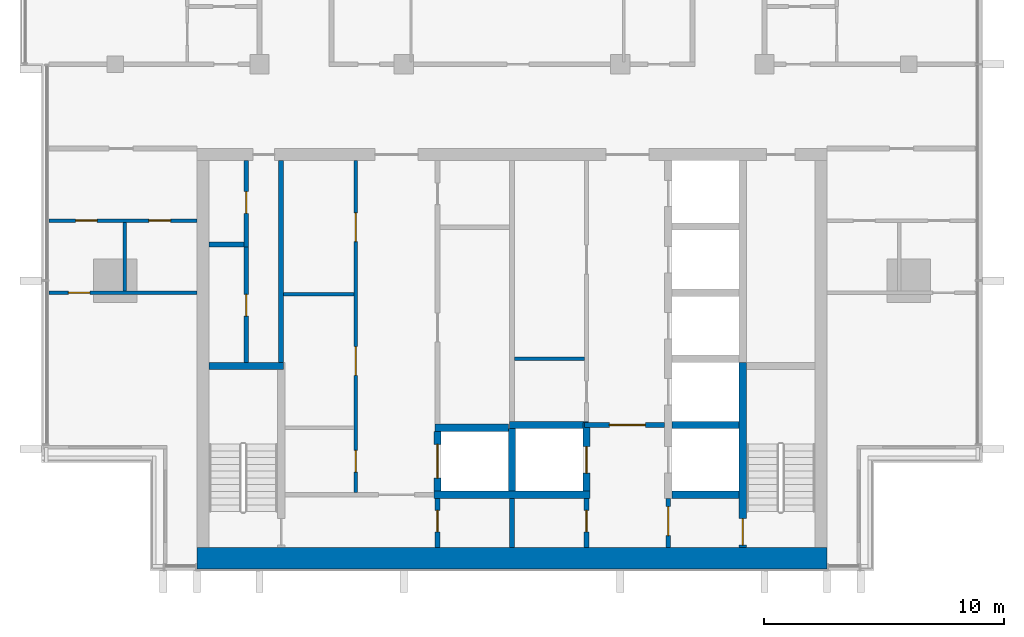
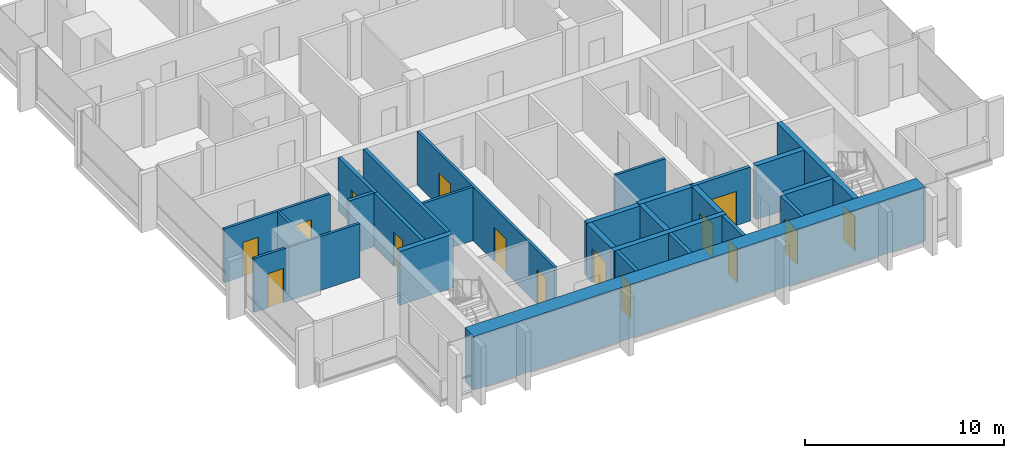
# One storey, part 7 of 16: 26 walls, 15 doors, 15 openings.
"""IFC4 building model written with IfcOpenShell, lengths in metres."""

from ifc_helpers import new_model, si_unit, direction, frame, frame_2d, origin, place, context, subcontext, project, spatial, rectangle, extrude, material, layer, layer_set, type_object, element, fill, save


model = new_model("IFC4")

# Units and contexts
model_context = context("Model", 3, precision=1e-05, world=origin(), true_north=direction((0.0, 1.0)))
body_context = subcontext(model_context, "Body", "Model", "MODEL_VIEW")
ifc_project = project(units=[si_unit("LENGTHUNIT", "METRE"), si_unit("AREAUNIT", "SQUARE_METRE"), si_unit("VOLUMEUNIT", "CUBIC_METRE"), si_unit("PLANEANGLEUNIT", "RADIAN"), si_unit("MASSUNIT", "GRAM", prefix="KILO")], contexts=[model_context])

# Site, building, storey
site_placement = place(None, origin())
site = spatial("IfcSite", under=ifc_project, at=site_placement, CompositionType="ELEMENT")
building_placement = place(site_placement, origin())
building = spatial("IfcBuilding", under=site, at=building_placement, Name="Finial Court Residences", CompositionType="ELEMENT")
storey_placement = place(building_placement, frame((0.0, 0.0, 255.5)))
storey = spatial("IfcBuildingStorey", under=building, at=storey_placement, Name="L64", CompositionType="ELEMENT", Elevation=255.5)

# Walls
ifc_material_1 = material(Name="Fire-rated gypsum board partition")
ifc_layer_1 = layer(ifc_material_1, 0.14990234375)
ifc_layer_set_1 = layer_set([ifc_layer_1], Name="Core room partition 150 EI 60")
wall_type_1 = type_object("IfcWallType", Name="Core room partition 150 EI 60", PredefinedType="PARTITIONING", material=ifc_layer_set_1)
wall_1_placement = place(storey_placement, frame((0.10009765625, -16.75, 0.0), z_axis=(0.0, 0.0, 1.0), x_axis=(1.0, 0.0, 0.0)))
element("IfcWall", 1, at=wall_1_placement, inside=storey, type_object=wall_type_1, Name="Core partition L64-11", PredefinedType="PARTITIONING", context=body_context, shape_type="SweptSolid", body=[
    extrude(rectangle(XDim=2.9248046875, YDim=0.14990234375, at=frame_2d((1.46240234375, 0.0))), origin(), (0.0, 0.0, 1.0), 3.300048828125),
])
wall_2_placement = place(storey_placement, frame((-9.5, -14.06005859375, 0.0), z_axis=(0.0, 0.0, 1.0), x_axis=(1.0, 0.0, 0.0)))
element("IfcWall", 2, at=wall_2_placement, inside=storey, type_object=wall_type_1, Name="Core partition L64-13", PredefinedType="PARTITIONING", context=body_context, shape_type="SweptSolid", body=[
    extrude(rectangle(XDim=2.925048828125, YDim=0.14990234375, at=frame_2d((1.46240234375, 0.0))), origin(), (0.0, 0.0, 1.0), 3.300048828125),
])

# Wall, openings, doors
wall_3_placement = place(storey_placement, frame((-6.5, -22.300048828125, 0.0), z_axis=(0.0, 0.0, 1.0), x_axis=(0.0, 1.0, 0.0)))
wall_3 = element("IfcWall", 3, at=wall_3_placement, inside=storey, type_object=wall_type_1, Name="Core partition L64-22", PredefinedType="PARTITIONING", context=body_context, shape_type="SweptSolid", body=[
    extrude(rectangle(XDim=13.800048828125, YDim=0.14990234375, at=frame_2d((6.89990234375, 0.0))), origin(), (0.0, 0.0, 1.0), 3.300048828125),
])
opening_1_placement = place(wall_3_placement, frame((0.840087890625, 0.0, 0.0)))
opening_1 = element("IfcOpeningElement", 4, at=opening_1_placement, cuts=wall_3, Name="Opening L64-C14", PredefinedType="OPENING", context=body_context, shape_type="SweptSolid", body=[
    extrude(rectangle(XDim=0.89990234375, YDim=2.10009765625, at=frame_2d((0.449951171875, 1.050048828125))), frame((0.0, 0.0849609375, 0.0), z_axis=(0.0, -1.0, 0.0), x_axis=(1.0, 0.0, 0.0)), (0.0, 0.0, 1.0), 0.169921875),
])
opening_2_placement = place(wall_3_placement, frame((4.860107421875, 0.0, 0.0)))
opening_2 = element("IfcOpeningElement", 5, at=opening_2_placement, cuts=wall_3, Name="Opening L64-C15", PredefinedType="OPENING", context=body_context, shape_type="SweptSolid", body=[
    extrude(rectangle(XDim=1.199951171875, YDim=2.10009765625, at=frame_2d((0.60009765625, 1.050048828125))), frame((0.0, 0.0849609375, 0.0), z_axis=(0.0, -1.0, 0.0), x_axis=(1.0, 0.0, 0.0)), (0.0, 0.0, 1.0), 0.169921875),
])
opening_3_placement = place(wall_3_placement, frame((10.419921875, 0.0, 0.0)))
opening_3 = element("IfcOpeningElement", 6, at=opening_3_placement, cuts=wall_3, Name="Opening L64-C16", PredefinedType="OPENING", context=body_context, shape_type="SweptSolid", body=[
    extrude(rectangle(XDim=1.199951171875, YDim=2.10009765625, at=frame_2d((0.60009765625, 1.050048828125))), frame((0.0, 0.0849609375, 0.0), z_axis=(0.0, -1.0, 0.0), x_axis=(1.0, 0.0, 0.0)), (0.0, 0.0, 1.0), 0.169921875),
])
ifc_material_2 = material(Name="Steel fire door", Category="steel")
door_type_1 = type_object("IfcDoorType", Name="Core room door 1200 x 2100 EI 60", OperationType="NOTDEFINED", PredefinedType="DOOR", material=ifc_material_2)
door_1_placement = place(opening_2_placement, origin())
door_1 = element("IfcDoor", 7, at=door_1_placement, inside=storey, type_object=door_type_1, Name="Core room door L64-C15", OperationType="SINGLE_SWING_RIGHT", OverallHeight=2.10009765625, OverallWidth=1.199951171875, PredefinedType="DOOR", context=body_context, shape_type="SweptSolid", body=[
    extrude(rectangle(XDim=1.199951171875, YDim=2.10009765625, at=frame_2d((0.60009765625, 1.050048828125))), frame((0.0, 0.02490234375, 0.0), z_axis=(0.0, -1.0, 0.0), x_axis=(1.0, 0.0, 0.0)), (0.0, 0.0, 1.0), 0.050048828125),
])
fill(opening_2, door_1)
door_2_placement = place(opening_3_placement, origin())
door_2 = element("IfcDoor", 8, at=door_2_placement, inside=storey, type_object=door_type_1, Name="Core room door L64-C16", OperationType="SINGLE_SWING_RIGHT", OverallHeight=2.10009765625, OverallWidth=1.199951171875, PredefinedType="DOOR", context=body_context, shape_type="SweptSolid", body=[
    extrude(rectangle(XDim=1.199951171875, YDim=2.10009765625, at=frame_2d((0.60009765625, 1.050048828125))), frame((0.0, 0.02490234375, 0.0), z_axis=(0.0, -1.0, 0.0), x_axis=(1.0, 0.0, 0.0)), (0.0, 0.0, 1.0), 0.050048828125),
])
fill(opening_3, door_2)
door_type_2 = type_object("IfcDoorType", Name="Core room door 900 x 2100 EI 60", OperationType="NOTDEFINED", PredefinedType="DOOR", material=ifc_material_2)
door_3_placement = place(opening_1_placement, origin())
door_3 = element("IfcDoor", 9, at=door_3_placement, inside=storey, type_object=door_type_2, Name="Core room door L64-C14", OperationType="SINGLE_SWING_LEFT", OverallHeight=2.10009765625, OverallWidth=0.89990234375, PredefinedType="DOOR", context=body_context, shape_type="SweptSolid", body=[
    extrude(rectangle(XDim=0.89990234375, YDim=2.10009765625, at=frame_2d((0.449951171875, 1.050048828125))), frame((0.0, 0.02490234375, 0.0), z_axis=(0.0, -1.0, 0.0), x_axis=(1.0, 0.0, 0.0)), (0.0, 0.0, 1.0), 0.050048828125),
])
fill(opening_1, door_3)

# Wall
ifc_material_3 = material(Name="Concrete C50/60", Category="concrete")
ifc_layer_2 = layer(ifc_material_3, 0.89990234375)
ifc_layer_set_2 = layer_set([ifc_layer_2], Name="Core south facade wall 900 Concrete C50/60")
wall_type_2 = type_object("IfcWallType", Name="Core south facade wall 900 Concrete C50/60", PredefinedType="SHEAR", material=ifc_layer_set_2)
wall_4_placement = place(storey_placement, frame((-13.10009765625, -25.050048828125, 0.0), z_axis=(0.0, 0.0, 1.0), x_axis=(1.0, 0.0, 0.0)))
element("IfcWall", 10, at=wall_4_placement, inside=storey, type_object=wall_type_2, Name="Core outer wall L64-01", PredefinedType="SHEAR", context=body_context, shape_type="SweptSolid", body=[
    extrude(rectangle(XDim=26.2001953125, YDim=0.89990234375, at=frame_2d((13.10009765625, 0.0))), origin(), (0.0, 0.0, 1.0), 3.300048828125),
])

# Wall, opening, door
ifc_layer_3 = layer(ifc_material_1, 0.199951171875)
ifc_layer_set_3 = layer_set([ifc_layer_3], Name="Firefighting lobby wall 200 EI 120")
wall_type_3 = type_object("IfcWallType", Name="Firefighting lobby wall 200 EI 120", PredefinedType="PARTITIONING", material=ifc_layer_set_3)
wall_5_placement = place(storey_placement, frame((6.35009765625, -19.5, 0.0), z_axis=(0.0, 0.0, 1.0), x_axis=(-1.0, 0.0, 0.0)))
wall_5 = element("IfcWall", 11, at=wall_5_placement, inside=storey, type_object=wall_type_3, Name="Core partition L64-07", PredefinedType="PARTITIONING", context=body_context, shape_type="SweptSolid", body=[
    extrude(rectangle(XDim=3.3251953125, YDim=0.199951171875, at=frame_2d((1.66259765625, 0.0))), origin(), (0.0, 0.0, 1.0), 3.300048828125),
])
opening_4_placement = place(wall_5_placement, frame((0.800048828125, 0.0, 0.0)))
opening_4 = element("IfcOpeningElement", 12, at=opening_4_placement, cuts=wall_5, Name="Opening L64-C02", PredefinedType="OPENING", context=body_context, shape_type="SweptSolid", body=[
    extrude(rectangle(XDim=1.5, YDim=2.10009765625, at=frame_2d((0.75, 1.050048828125))), frame((0.0, 0.10986328125, 0.0), z_axis=(0.0, -1.0, 0.0), x_axis=(1.0, 0.0, 0.0)), (0.0, 0.0, 1.0), 0.219970703125),
])
door_type_3 = type_object("IfcDoorType", Name="Firefighting lobby door 1500 x 2100 EI 90", OperationType="DOUBLE_DOOR_SINGLE_SWING", PredefinedType="DOOR", material=ifc_material_2)
door_4_placement = place(opening_4_placement, origin())
door_4 = element("IfcDoor", 13, at=door_4_placement, inside=storey, type_object=door_type_3, Name="Firefighting lobby door L64-C02", OperationType="DOUBLE_DOOR_SINGLE_SWING", OverallHeight=2.10009765625, OverallWidth=1.5, PredefinedType="DOOR", context=body_context, shape_type="SweptSolid", body=[
    extrude(rectangle(XDim=1.5, YDim=2.10009765625, at=frame_2d((0.75, 1.050048828125))), frame((0.0, 0.02490234375, 0.0), z_axis=(0.0, -1.0, 0.0), x_axis=(1.0, 0.0, 0.0)), (0.0, 0.0, 1.0), 0.050048828125),
])
fill(opening_4, door_4)

wall_6_placement = place(storey_placement, frame((3.10009765625, -24.60009765625, 0.0), z_axis=(0.0, 0.0, 1.0), x_axis=(0.0, 1.0, 0.0)))
wall_6 = element("IfcWall", 14, at=wall_6_placement, inside=storey, type_object=wall_type_3, Name="Core partition L64-29", PredefinedType="PARTITIONING", context=body_context, shape_type="SweptSolid", body=[
    extrude(rectangle(XDim=2.050048828125, YDim=0.199951171875, at=frame_2d((1.02490234375, 0.0))), origin(), (0.0, 0.0, 1.0), 3.300048828125),
])
opening_5_placement = place(wall_6_placement, frame((0.64990234375, 0.0, 0.0)))
opening_5 = element("IfcOpeningElement", 15, at=opening_5_placement, cuts=wall_6, Name="Opening L64-C06", PredefinedType="OPENING", context=body_context, shape_type="SweptSolid", body=[
    extrude(rectangle(XDim=0.89990234375, YDim=2.10009765625, at=frame_2d((0.449951171875, 1.050048828125))), frame((0.0, 0.10986328125, 0.0), z_axis=(0.0, -1.0, 0.0), x_axis=(1.0, 0.0, 0.0)), (0.0, 0.0, 1.0), 0.219970703125),
])
door_type_4 = type_object("IfcDoorType", Name="Riser room door 900 x 2100 EI 90", OperationType="NOTDEFINED", PredefinedType="DOOR", material=ifc_material_2)
door_5_placement = place(opening_5_placement, origin())
door_5 = element("IfcDoor", 16, at=door_5_placement, inside=storey, type_object=door_type_4, Name="Riser room door L64-C06", OperationType="SINGLE_SWING_LEFT", OverallHeight=2.10009765625, OverallWidth=0.89990234375, PredefinedType="DOOR", context=body_context, shape_type="SweptSolid", body=[
    extrude(rectangle(XDim=0.89990234375, YDim=2.10009765625, at=frame_2d((0.449951171875, 1.050048828125))), frame((0.0, 0.02490234375, 0.0), z_axis=(0.0, -1.0, 0.0), x_axis=(1.0, 0.0, 0.0)), (0.0, 0.0, 1.0), 0.050048828125),
])
fill(opening_5, door_5)

wall_7_placement = place(storey_placement, frame((6.5, -22.550048828125, 0.0), z_axis=(0.0, 0.0, 1.0), x_axis=(0.0, -1.0, 0.0)))
wall_7 = element("IfcWall", 17, at=wall_7_placement, inside=storey, type_object=wall_type_3, Name="Core partition L64-32", PredefinedType="PARTITIONING", context=body_context, shape_type="SweptSolid", body=[
    extrude(rectangle(XDim=2.050048828125, YDim=0.199951171875, at=frame_2d((1.02490234375, 0.0))), origin(), (0.0, 0.0, 1.0), 3.300048828125),
])
opening_6_placement = place(wall_7_placement, frame((0.35009765625, 0.0, 0.0)))
opening_6 = element("IfcOpeningElement", 18, at=opening_6_placement, cuts=wall_7, Name="Opening L64-C01", PredefinedType="OPENING", context=body_context, shape_type="SweptSolid", body=[
    extrude(rectangle(XDim=1.199951171875, YDim=2.10009765625, at=frame_2d((0.60009765625, 1.050048828125))), frame((0.0, 0.10986328125, 0.0), z_axis=(0.0, -1.0, 0.0), x_axis=(1.0, 0.0, 0.0)), (0.0, 0.0, 1.0), 0.219970703125),
])
door_type_5 = type_object("IfcDoorType", Name="Firefighting lobby door 1200 x 2100 EI 90", OperationType="NOTDEFINED", PredefinedType="DOOR", material=ifc_material_2)
door_6_placement = place(opening_6_placement, origin())
door_6 = element("IfcDoor", 19, at=door_6_placement, inside=storey, type_object=door_type_5, Name="Firefighting lobby door L64-C01", OperationType="SINGLE_SWING_RIGHT", OverallHeight=2.10009765625, OverallWidth=1.199951171875, PredefinedType="DOOR", context=body_context, shape_type="SweptSolid", body=[
    extrude(rectangle(XDim=1.199951171875, YDim=2.10009765625, at=frame_2d((0.60009765625, 1.050048828125))), frame((0.0, 0.02490234375, 0.0), z_axis=(0.0, -1.0, 0.0), x_axis=(1.0, 0.0, 0.0)), (0.0, 0.0, 1.0), 0.050048828125),
])
fill(opening_6, door_6)

ifc_material_4 = material(Name="Moisture-resistant gypsum board")
ifc_layer_4 = layer(ifc_material_4, 0.012451171875)
ifc_material_5 = material(Name="Mineral wool in light-gauge frame")
ifc_layer_5 = layer(ifc_material_5, 0.125)
ifc_layer_6 = layer(ifc_material_4, 0.012451171875)
ifc_layer_set_4 = layer_set([ifc_layer_4, ifc_layer_5, ifc_layer_6], Name="Gypsum board wet-area partition 150")
wall_type_4 = type_object("IfcWallType", Name="Gypsum board wet-area partition 150", PredefinedType="PARTITIONING", material=ifc_layer_set_4)
wall_8_placement = place(storey_placement, frame((-19.262451171875, -14.0, 0.0), z_axis=(0.0, 0.0, 1.0), x_axis=(1.0, 0.0, 0.0)))
wall_8 = element("IfcWall", 20, at=wall_8_placement, inside=storey, type_object=wall_type_4, Name="Partition L64-000", PredefinedType="PARTITIONING", context=body_context, shape_type="SweptSolid", body=[
    extrude(rectangle(XDim=6.162353515625, YDim=0.14990234375, at=frame_2d((3.0810546875, 0.0))), origin(), (0.0, 0.0, 1.0), 3.300048828125),
])
opening_7_placement = place(wall_8_placement, frame((0.81201171875, 0.0, 0.0)))
opening_7 = element("IfcOpeningElement", 21, at=opening_7_placement, cuts=wall_8, Name="Opening L64-D001", PredefinedType="OPENING", context=body_context, shape_type="SweptSolid", body=[
    extrude(rectangle(XDim=0.89990234375, YDim=2.10009765625, at=frame_2d((0.449951171875, 1.050048828125))), frame((0.0, 0.0849609375, 0.0), z_axis=(0.0, -1.0, 0.0), x_axis=(1.0, 0.0, 0.0)), (0.0, 0.0, 1.0), 0.169921875),
])
ifc_material_6 = material(Name="Timber door leaf in timber frame", Category="wood")
door_type_6 = type_object("IfcDoorType", Name="Door set 900 x 2100", OperationType="SINGLE_SWING_LEFT", PredefinedType="DOOR", material=ifc_material_6)
door_7_placement = place(opening_7_placement, origin())
door_7 = element("IfcDoor", 22, at=door_7_placement, inside=storey, type_object=door_type_6, Name="Door L64-D001", OperationType="SINGLE_SWING_LEFT", OverallHeight=2.10009765625, OverallWidth=0.89990234375, PredefinedType="DOOR", context=body_context, shape_type="SweptSolid", body=[
    extrude(rectangle(XDim=0.89990234375, YDim=2.10009765625, at=frame_2d((0.449951171875, 1.050048828125))), frame((0.0, 0.02490234375, 0.0), z_axis=(0.0, -1.0, 0.0), x_axis=(1.0, 0.0, 0.0)), (0.0, 0.0, 1.0), 0.050048828125),
])
fill(opening_7, door_7)

# Wall, openings, doors
wall_9_placement = place(storey_placement, frame((-19.262451171875, -11.0, 0.0), z_axis=(0.0, 0.0, 1.0), x_axis=(1.0, 0.0, 0.0)))
wall_9 = element("IfcWall", 23, at=wall_9_placement, inside=storey, type_object=wall_type_4, Name="Partition L64-002", PredefinedType="PARTITIONING", context=body_context, shape_type="SweptSolid", body=[
    extrude(rectangle(XDim=6.162353515625, YDim=0.14990234375, at=frame_2d((3.0810546875, 0.0))), origin(), (0.0, 0.0, 1.0), 3.300048828125),
])
opening_8_placement = place(wall_9_placement, frame((1.113037109375, 0.0, 0.0)))
opening_8 = element("IfcOpeningElement", 24, at=opening_8_placement, cuts=wall_9, Name="Opening L64-D003", PredefinedType="OPENING", context=body_context, shape_type="SweptSolid", body=[
    extrude(rectangle(XDim=0.89990234375, YDim=2.10009765625, at=frame_2d((0.449951171875, 1.050048828125))), frame((0.0, 0.0849609375, 0.0), z_axis=(0.0, -1.0, 0.0), x_axis=(1.0, 0.0, 0.0)), (0.0, 0.0, 1.0), 0.169921875),
])
opening_9_placement = place(wall_9_placement, frame((4.162109375, 0.0, 0.0)))
opening_9 = element("IfcOpeningElement", 25, at=opening_9_placement, cuts=wall_9, Name="Opening L64-D004", PredefinedType="OPENING", context=body_context, shape_type="SweptSolid", body=[
    extrude(rectangle(XDim=0.89990234375, YDim=2.10009765625, at=frame_2d((0.449951171875, 1.050048828125))), frame((0.0, 0.0849609375, 0.0), z_axis=(0.0, -1.0, 0.0), x_axis=(1.0, 0.0, 0.0)), (0.0, 0.0, 1.0), 0.169921875),
])
door_8_placement = place(opening_8_placement, origin())
door_8 = element("IfcDoor", 26, at=door_8_placement, inside=storey, type_object=door_type_6, Name="Door L64-D003", OperationType="SINGLE_SWING_LEFT", OverallHeight=2.10009765625, OverallWidth=0.89990234375, PredefinedType="DOOR", context=body_context, shape_type="SweptSolid", body=[
    extrude(rectangle(XDim=0.89990234375, YDim=2.10009765625, at=frame_2d((0.449951171875, 1.050048828125))), frame((0.0, 0.02490234375, 0.0), z_axis=(0.0, -1.0, 0.0), x_axis=(1.0, 0.0, 0.0)), (0.0, 0.0, 1.0), 0.050048828125),
])
fill(opening_8, door_8)
door_9_placement = place(opening_9_placement, origin())
door_9 = element("IfcDoor", 27, at=door_9_placement, inside=storey, type_object=door_type_6, Name="Door L64-D004", OperationType="SINGLE_SWING_RIGHT", OverallHeight=2.10009765625, OverallWidth=0.89990234375, PredefinedType="DOOR", context=body_context, shape_type="SweptSolid", body=[
    extrude(rectangle(XDim=0.89990234375, YDim=2.10009765625, at=frame_2d((0.449951171875, 1.050048828125))), frame((0.0, 0.02490234375, 0.0), z_axis=(0.0, -1.0, 0.0), x_axis=(1.0, 0.0, 0.0)), (0.0, 0.0, 1.0), 0.050048828125),
])
fill(opening_9, door_9)

# Walls
wall_10_placement = place(storey_placement, frame((-16.10009765625, -13.925048828125, 0.0), z_axis=(0.0, 0.0, 1.0), x_axis=(0.0, 1.0, 0.0)))
element("IfcWall", 28, at=wall_10_placement, inside=storey, type_object=wall_type_4, Name="Partition L64-024", PredefinedType="PARTITIONING", context=body_context, shape_type="SweptSolid", body=[
    extrude(rectangle(XDim=2.85009765625, YDim=0.14990234375, at=frame_2d((1.425048828125, 0.0))), origin(), (0.0, 0.0, 1.0), 3.300048828125),
])
ifc_layer_7 = layer(ifc_material_3, 0.300048828125)
ifc_layer_set_5 = layer_set([ifc_layer_7], Name="Lift shaft and stair wall 300 Concrete C50/60")
wall_type_5 = type_object("IfcWallType", Name="Lift shaft and stair wall 300 Concrete C50/60", PredefinedType="SHEAR", material=ifc_layer_set_5)
wall_11_placement = place(storey_placement, frame((-3.25, -22.39990234375, 0.0), z_axis=(0.0, 0.0, 1.0), x_axis=(1.0, 0.0, 0.0)))
element("IfcWall", 29, at=wall_11_placement, inside=storey, type_object=wall_type_5, Name="Core wall L64-02", PredefinedType="SHEAR", context=body_context, shape_type="SweptSolid", body=[
    extrude(rectangle(XDim=6.5, YDim=0.300048828125, at=frame_2d((3.25, 0.0))), origin(), (0.0, 0.0, 1.0), 3.300048828125),
])
wall_12_placement = place(storey_placement, frame((6.64990234375, -22.39990234375, 0.0), z_axis=(0.0, 0.0, 1.0), x_axis=(1.0, 0.0, 0.0)))
element("IfcWall", 30, at=wall_12_placement, inside=storey, type_object=wall_type_5, Name="Core wall L64-03", PredefinedType="SHEAR", context=body_context, shape_type="SweptSolid", body=[
    extrude(rectangle(XDim=2.800048828125, YDim=0.300048828125, at=frame_2d((1.39990234375, 0.0))), origin(), (0.0, 0.0, 1.0), 3.300048828125),
])
wall_13_placement = place(storey_placement, frame((-3.199951171875, -19.6201171875, 0.0), z_axis=(0.0, 0.0, 1.0), x_axis=(1.0, 0.0, 0.0)))
element("IfcWall", 31, at=wall_13_placement, inside=storey, type_object=wall_type_5, Name="Core wall L64-05", PredefinedType="SHEAR", context=body_context, shape_type="SweptSolid", body=[
    extrude(rectangle(XDim=3.050048828125, YDim=0.300048828125, at=frame_2d((1.52490234375, 0.0))), origin(), (0.0, 0.0, 1.0), 3.300048828125),
])
wall_14_placement = place(storey_placement, frame((-0.10009765625, -19.5, 0.0), z_axis=(0.0, 0.0, 1.0), x_axis=(1.0, 0.0, 0.0)))
element("IfcWall", 32, at=wall_14_placement, inside=storey, type_object=wall_type_5, Name="Core wall L64-06", PredefinedType="SHEAR", context=body_context, shape_type="SweptSolid", body=[
    extrude(rectangle(XDim=3.275146484375, YDim=0.300048828125, at=frame_2d((1.6376953125, 0.0))), origin(), (0.0, 0.0, 1.0), 3.300048828125),
])
wall_15_placement = place(storey_placement, frame((6.64990234375, -19.5, 0.0), z_axis=(0.0, 0.0, 1.0), x_axis=(1.0, 0.0, 0.0)))
element("IfcWall", 33, at=wall_15_placement, inside=storey, type_object=wall_type_5, Name="Core wall L64-08", PredefinedType="SHEAR", context=body_context, shape_type="SweptSolid", body=[
    extrude(rectangle(XDim=2.800048828125, YDim=0.300048828125, at=frame_2d((1.39990234375, 0.0))), origin(), (0.0, 0.0, 1.0), 3.300048828125),
])
wall_16_placement = place(storey_placement, frame((-12.60009765625, -17.050048828125, 0.0), z_axis=(0.0, 0.0, 1.0), x_axis=(1.0, 0.0, 0.0)))
element("IfcWall", 34, at=wall_16_placement, inside=storey, type_object=wall_type_5, Name="Core wall L64-09", PredefinedType="SHEAR", context=body_context, shape_type="SweptSolid", body=[
    extrude(rectangle(XDim=3.10009765625, YDim=0.300048828125, at=frame_2d((1.550048828125, 0.0))), origin(), (0.0, 0.0, 1.0), 3.300048828125),
])

# Wall, opening, door
wall_17_placement = place(storey_placement, frame((-3.10009765625, -22.25, 0.0), z_axis=(0.0, 0.0, 1.0), x_axis=(0.0, 1.0, 0.0)))
wall_17 = element("IfcWall", 35, at=wall_17_placement, inside=storey, type_object=wall_type_5, Name="Core wall L64-24", PredefinedType="SHEAR", context=body_context, shape_type="SweptSolid", body=[
    extrude(rectangle(XDim=2.47998046875, YDim=0.300048828125, at=frame_2d((1.239990234375, 0.0))), origin(), (0.0, 0.0, 1.0), 3.300048828125),
])
opening_10_placement = place(wall_17_placement, frame((0.5400390625, 0.0, 0.0)))
opening_10 = element("IfcOpeningElement", 36, at=opening_10_placement, cuts=wall_17, Name="Opening L64-LD07", PredefinedType="OPENING", context=body_context, shape_type="SweptSolid", body=[
    extrude(rectangle(XDim=1.39990234375, YDim=2.10009765625, at=frame_2d((0.699951171875, 1.050048828125))), frame((0.0, 0.159912109375, 0.0), z_axis=(0.0, -1.0, 0.0), x_axis=(1.0, 0.0, 0.0)), (0.0, 0.0, 1.0), 0.320068359375),
])
ifc_material_7 = material(Name="Stainless steel lift door", Category="steel")
door_type_7 = type_object("IfcDoorType", Name="Lift landing door 1400 x 2100 EI 90", OperationType="DOUBLE_DOOR_SLIDING", PredefinedType="DOOR", material=ifc_material_7)
door_10_placement = place(opening_10_placement, origin())
door_10 = element("IfcDoor", 37, at=door_10_placement, inside=storey, type_object=door_type_7, Name="Lift landing door SV1 L64", OperationType="DOUBLE_DOOR_SLIDING", OverallHeight=2.10009765625, OverallWidth=1.39990234375, PredefinedType="DOOR", context=body_context, shape_type="SweptSolid", body=[
    extrude(rectangle(XDim=1.39990234375, YDim=2.10009765625, at=frame_2d((0.699951171875, 1.050048828125))), frame((0.0, 0.02490234375, 0.0), z_axis=(0.0, -1.0, 0.0), x_axis=(1.0, 0.0, 0.0)), (0.0, 0.0, 1.0), 0.050048828125),
])
fill(opening_10, door_10)

# Wall
wall_18_placement = place(storey_placement, frame((0.0, -22.25, 0.0), z_axis=(0.0, 0.0, 1.0), x_axis=(0.0, 1.0, 0.0)))
element("IfcWall", 38, at=wall_18_placement, inside=storey, type_object=wall_type_5, Name="Core wall L64-27", PredefinedType="SHEAR", context=body_context, shape_type="SweptSolid", body=[
    extrude(rectangle(XDim=2.60009765625, YDim=0.300048828125, at=frame_2d((1.300048828125, 0.0))), origin(), (0.0, 0.0, 1.0), 3.300048828125),
])

# Wall, opening, door
wall_19_placement = place(storey_placement, frame((3.10009765625, -22.25, 0.0), z_axis=(0.0, 0.0, 1.0), x_axis=(0.0, 1.0, 0.0)))
wall_19 = element("IfcWall", 39, at=wall_19_placement, inside=storey, type_object=wall_type_5, Name="Core wall L64-30", PredefinedType="SHEAR", context=body_context, shape_type="SweptSolid", body=[
    extrude(rectangle(XDim=2.85009765625, YDim=0.300048828125, at=frame_2d((1.425048828125, 0.0))), origin(), (0.0, 0.0, 1.0), 3.300048828125),
])
opening_11_placement = place(wall_19_placement, frame((0.75, 0.0, 0.0)))
opening_11 = element("IfcOpeningElement", 40, at=opening_11_placement, cuts=wall_19, Name="Opening L64-LD01", PredefinedType="OPENING", context=body_context, shape_type="SweptSolid", body=[
    extrude(rectangle(XDim=1.10009765625, YDim=2.10009765625, at=frame_2d((0.550048828125, 1.050048828125))), frame((0.0, 0.159912109375, 0.0), z_axis=(0.0, -1.0, 0.0), x_axis=(1.0, 0.0, 0.0)), (0.0, 0.0, 1.0), 0.320068359375),
])
door_type_8 = type_object("IfcDoorType", Name="Lift landing door 1100 x 2100 EI 90", OperationType="DOUBLE_DOOR_SLIDING", PredefinedType="DOOR", material=ifc_material_7)
door_11_placement = place(opening_11_placement, origin())
door_11 = element("IfcDoor", 41, at=door_11_placement, inside=storey, type_object=door_type_8, Name="Lift landing door FF1 L64", OperationType="DOUBLE_DOOR_SLIDING", OverallHeight=2.10009765625, OverallWidth=1.10009765625, PredefinedType="DOOR", context=body_context, shape_type="SweptSolid", body=[
    extrude(rectangle(XDim=1.10009765625, YDim=2.10009765625, at=frame_2d((0.550048828125, 1.050048828125))), frame((0.0, 0.02490234375, 0.0), z_axis=(0.0, -1.0, 0.0), x_axis=(1.0, 0.0, 0.0)), (0.0, 0.0, 1.0), 0.050048828125),
])
fill(opening_11, door_11)

wall_20_placement = place(storey_placement, frame((9.60009765625, -16.89990234375, 0.0), z_axis=(0.0, 0.0, 1.0), x_axis=(0.0, -1.0, 0.0)))
wall_20 = element("IfcWall", 42, at=wall_20_placement, inside=storey, type_object=wall_type_5, Name="Core wall L64-34", PredefinedType="SHEAR", context=body_context, shape_type="SweptSolid", body=[
    extrude(rectangle(XDim=7.7001953125, YDim=0.300048828125, at=frame_2d((3.85009765625, 0.0))), origin(), (0.0, 0.0, 1.0), 3.300048828125),
])
opening_12_placement = place(wall_20_placement, frame((6.5, 0.0, 0.0)))
opening_12 = element("IfcOpeningElement", 43, at=opening_12_placement, cuts=wall_20, Name="Opening L64-C20", PredefinedType="OPENING", context=body_context, shape_type="SweptSolid", body=[
    extrude(rectangle(XDim=1.10009765625, YDim=2.10009765625, at=frame_2d((0.550048828125, 1.050048828125))), frame((0.0, 0.159912109375, 0.0), z_axis=(0.0, -1.0, 0.0), x_axis=(1.0, 0.0, 0.0)), (0.0, 0.0, 1.0), 0.320068359375),
])
door_type_9 = type_object("IfcDoorType", Name="Stair door 1100 x 2100 EI 90", OperationType="NOTDEFINED", PredefinedType="DOOR", material=ifc_material_2)
door_12_placement = place(opening_12_placement, origin())
door_12 = element("IfcDoor", 44, at=door_12_placement, inside=storey, type_object=door_type_9, Name="Stair door L64-C20", OperationType="SINGLE_SWING_RIGHT", OverallHeight=2.10009765625, OverallWidth=1.10009765625, PredefinedType="DOOR", context=body_context, shape_type="SweptSolid", body=[
    extrude(rectangle(XDim=1.10009765625, YDim=2.10009765625, at=frame_2d((0.550048828125, 1.050048828125))), frame((0.0, 0.02490234375, 0.0), z_axis=(0.0, -1.0, 0.0), x_axis=(1.0, 0.0, 0.0)), (0.0, 0.0, 1.0), 0.050048828125),
])
fill(opening_12, door_12)

# Wall
ifc_layer_8 = layer(ifc_material_1, 0.199951171875)
ifc_layer_set_6 = layer_set([ifc_layer_8], Name="Riser room wall 200 EI 120")
wall_type_6 = type_object("IfcWallType", Name="Riser room wall 200 EI 120", PredefinedType="PARTITIONING", material=ifc_layer_set_6)
wall_21_placement = place(storey_placement, frame((-12.60009765625, -12.0, 0.0), z_axis=(0.0, 0.0, 1.0), x_axis=(1.0, 0.0, 0.0)))
element("IfcWall", 45, at=wall_21_placement, inside=storey, type_object=wall_type_6, Name="Core partition L64-15", PredefinedType="PARTITIONING", context=body_context, shape_type="SweptSolid", body=[
    extrude(rectangle(XDim=1.4501953125, YDim=0.199951171875, at=frame_2d((0.72509765625, 0.0))), origin(), (0.0, 0.0, 1.0), 3.300048828125),
])

# Wall, opening, door
wall_22_placement = place(storey_placement, frame((-11.050048828125, -12.10009765625, 0.0), z_axis=(0.0, 0.0, 1.0), x_axis=(0.0, 1.0, 0.0)))
wall_22 = element("IfcWall", 46, at=wall_22_placement, inside=storey, type_object=wall_type_6, Name="Core partition L64-19", PredefinedType="PARTITIONING", context=body_context, shape_type="SweptSolid", body=[
    extrude(rectangle(XDim=3.60009765625, YDim=0.199951171875, at=frame_2d((1.800048828125, 0.0))), origin(), (0.0, 0.0, 1.0), 3.300048828125),
])
opening_13_placement = place(wall_22_placement, frame((1.39990234375, 0.0, 0.0)))
opening_13 = element("IfcOpeningElement", 47, at=opening_13_placement, cuts=wall_22, Name="Opening L64-C07", PredefinedType="OPENING", context=body_context, shape_type="SweptSolid", body=[
    extrude(rectangle(XDim=0.89990234375, YDim=2.10009765625, at=frame_2d((0.449951171875, 1.050048828125))), frame((0.0, 0.10986328125, 0.0), z_axis=(0.0, -1.0, 0.0), x_axis=(1.0, 0.0, 0.0)), (0.0, 0.0, 1.0), 0.219970703125),
])
door_13_placement = place(opening_13_placement, origin())
door_13 = element("IfcDoor", 48, at=door_13_placement, inside=storey, type_object=door_type_4, Name="Riser room door L64-C07", OperationType="SINGLE_SWING_LEFT", OverallHeight=2.10009765625, OverallWidth=0.89990234375, PredefinedType="DOOR", context=body_context, shape_type="SweptSolid", body=[
    extrude(rectangle(XDim=0.89990234375, YDim=2.10009765625, at=frame_2d((0.449951171875, 1.050048828125))), frame((0.0, 0.02490234375, 0.0), z_axis=(0.0, -1.0, 0.0), x_axis=(1.0, 0.0, 0.0)), (0.0, 0.0, 1.0), 0.050048828125),
])
fill(opening_13, door_13)

# Wall
wall_23_placement = place(storey_placement, frame((0.0, -24.60009765625, 0.0), z_axis=(0.0, 0.0, 1.0), x_axis=(0.0, 1.0, 0.0)))
element("IfcWall", 49, at=wall_23_placement, inside=storey, type_object=wall_type_6, Name="Core partition L64-26", PredefinedType="PARTITIONING", context=body_context, shape_type="SweptSolid", body=[
    extrude(rectangle(XDim=2.050048828125, YDim=0.199951171875, at=frame_2d((1.02490234375, 0.0))), origin(), (0.0, 0.0, 1.0), 3.300048828125),
])

# Wall, opening, door
ifc_layer_9 = layer(ifc_material_1, 0.199951171875)
ifc_layer_set_7 = layer_set([ifc_layer_9], Name="Stair passage wall 200 EI 180")
wall_type_7 = type_object("IfcWallType", Name="Stair passage wall 200 EI 180", PredefinedType="PARTITIONING", material=ifc_layer_set_7)
wall_24_placement = place(storey_placement, frame((-11.050048828125, -16.89990234375, 0.0), z_axis=(0.0, 0.0, 1.0), x_axis=(0.0, 1.0, 0.0)))
wall_24 = element("IfcWall", 50, at=wall_24_placement, inside=storey, type_object=wall_type_7, Name="Core partition L64-18", PredefinedType="PARTITIONING", context=body_context, shape_type="SweptSolid", body=[
    extrude(rectangle(XDim=5.0, YDim=0.199951171875, at=frame_2d((2.5, 0.0))), origin(), (0.0, 0.0, 1.0), 3.300048828125),
])
opening_14_placement = place(wall_24_placement, frame((1.925048828125, 0.0, 0.0)))
opening_14 = element("IfcOpeningElement", 51, at=opening_14_placement, cuts=wall_24, Name="Opening L64-C13", PredefinedType="OPENING", context=body_context, shape_type="SweptSolid", body=[
    extrude(rectangle(XDim=0.89990234375, YDim=2.10009765625, at=frame_2d((0.449951171875, 1.050048828125))), frame((0.0, 0.10986328125, 0.0), z_axis=(0.0, -1.0, 0.0), x_axis=(1.0, 0.0, 0.0)), (0.0, 0.0, 1.0), 0.219970703125),
])
door_14_placement = place(opening_14_placement, origin())
door_14 = element("IfcDoor", 52, at=door_14_placement, inside=storey, type_object=door_type_2, Name="Core room door L64-C13", OperationType="SINGLE_SWING_LEFT", OverallHeight=2.10009765625, OverallWidth=0.89990234375, PredefinedType="DOOR", context=body_context, shape_type="SweptSolid", body=[
    extrude(rectangle(XDim=0.89990234375, YDim=2.10009765625, at=frame_2d((0.449951171875, 1.050048828125))), frame((0.0, 0.02490234375, 0.0), z_axis=(0.0, -1.0, 0.0), x_axis=(1.0, 0.0, 0.0)), (0.0, 0.0, 1.0), 0.050048828125),
])
fill(opening_14, door_14)

# Wall
wall_25_placement = place(storey_placement, frame((-9.60009765625, -16.89990234375, 0.0), z_axis=(0.0, 0.0, 1.0), x_axis=(0.0, 1.0, 0.0)))
element("IfcWall", 53, at=wall_25_placement, inside=storey, type_object=wall_type_7, Name="Core partition L64-21", PredefinedType="PARTITIONING", context=body_context, shape_type="SweptSolid", body=[
    extrude(rectangle(XDim=8.39990234375, YDim=0.199951171875, at=frame_2d((4.199951171875, 0.0))), origin(), (0.0, 0.0, 1.0), 3.300048828125),
])

# Wall, opening, door
wall_26_placement = place(storey_placement, frame((-3.10009765625, -22.550048828125, 0.0), z_axis=(0.0, 0.0, 1.0), x_axis=(0.0, -1.0, 0.0)))
wall_26 = element("IfcWall", 54, at=wall_26_placement, inside=storey, type_object=wall_type_7, Name="Core partition L64-23", PredefinedType="PARTITIONING", context=body_context, shape_type="SweptSolid", body=[
    extrude(rectangle(XDim=2.050048828125, YDim=0.199951171875, at=frame_2d((1.02490234375, 0.0))), origin(), (0.0, 0.0, 1.0), 3.300048828125),
])
opening_15_placement = place(wall_26_placement, frame((0.5, 0.0, 0.0)))
opening_15 = element("IfcOpeningElement", 55, at=opening_15_placement, cuts=wall_26, Name="Opening L64-C12", PredefinedType="OPENING", context=body_context, shape_type="SweptSolid", body=[
    extrude(rectangle(XDim=0.89990234375, YDim=2.10009765625, at=frame_2d((0.449951171875, 1.050048828125))), frame((0.0, 0.10986328125, 0.0), z_axis=(0.0, -1.0, 0.0), x_axis=(1.0, 0.0, 0.0)), (0.0, 0.0, 1.0), 0.219970703125),
])
door_15_placement = place(opening_15_placement, origin())
door_15 = element("IfcDoor", 56, at=door_15_placement, inside=storey, type_object=door_type_2, Name="Core room door L64-C12", OperationType="SINGLE_SWING_RIGHT", OverallHeight=2.10009765625, OverallWidth=0.89990234375, PredefinedType="DOOR", context=body_context, shape_type="SweptSolid", body=[
    extrude(rectangle(XDim=0.89990234375, YDim=2.10009765625, at=frame_2d((0.449951171875, 1.050048828125))), frame((0.0, 0.02490234375, 0.0), z_axis=(0.0, -1.0, 0.0), x_axis=(1.0, 0.0, 0.0)), (0.0, 0.0, 1.0), 0.050048828125),
])
fill(opening_15, door_15)

save(model, "model.ifc")
